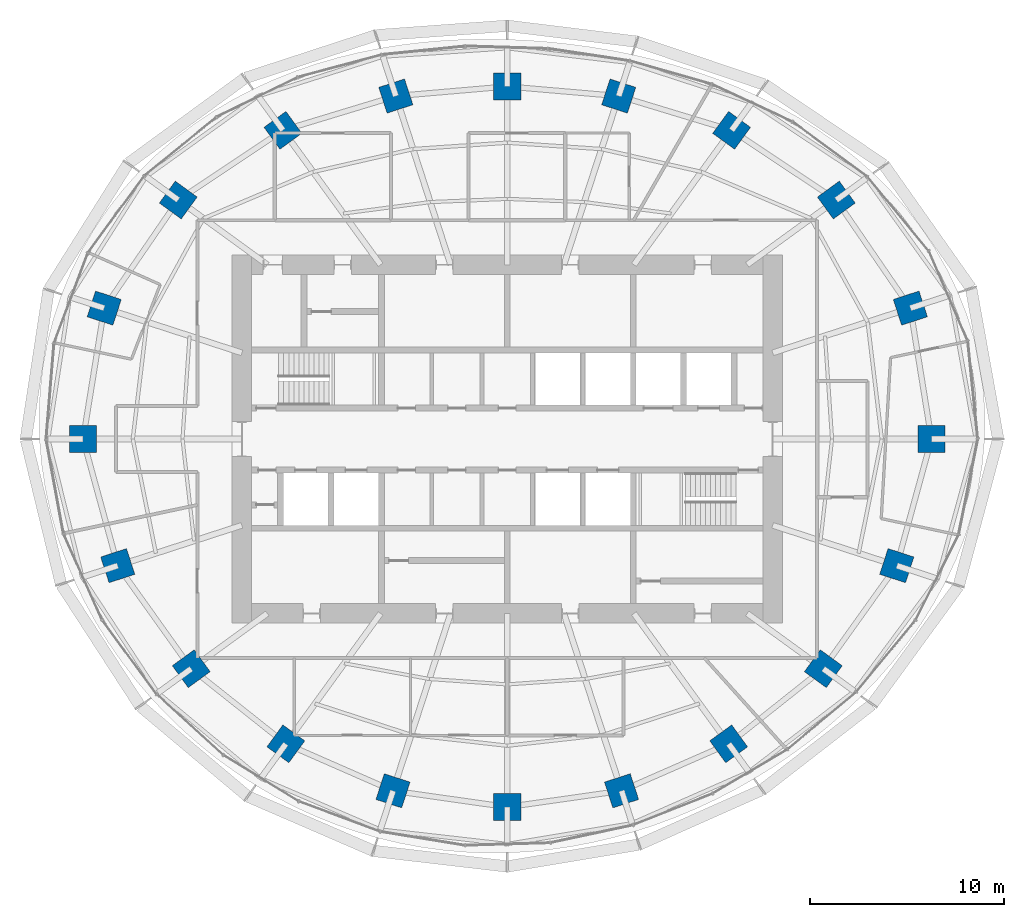
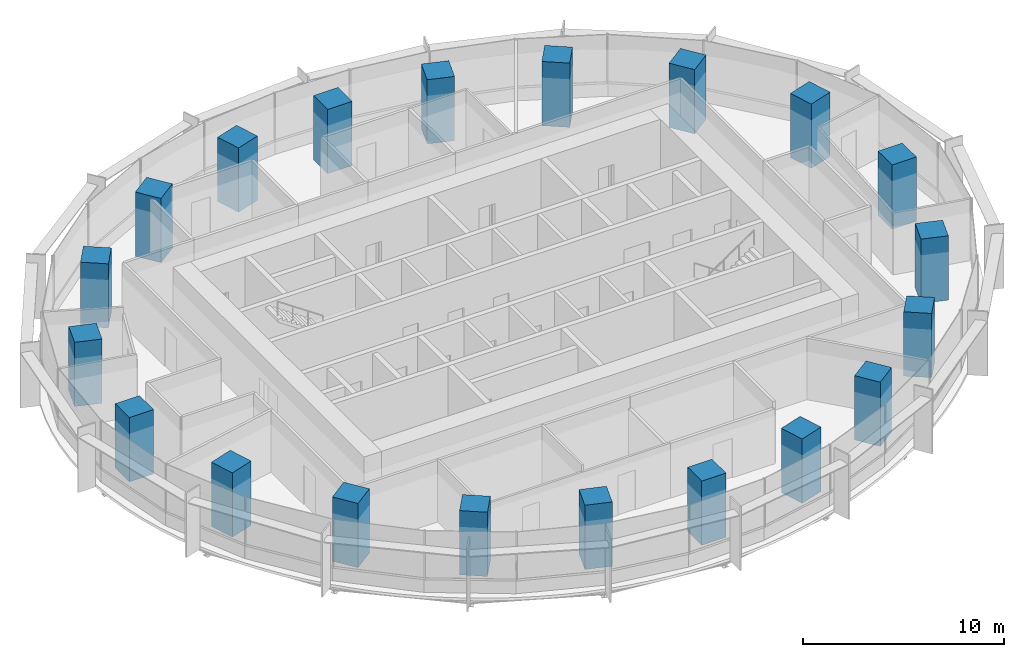
# One storey, part 1 of 14: 20 columns.
"""IFC4 building model written with IfcOpenShell, lengths in metres."""

import ifcopenshell
import ifcopenshell.guid

model = None  # the IFC model being written
_history = None  # IfcOwnerHistory: only IFC2X3 demands one
_inside = {}  # id of a spatial element -> (the spatial element, [elements in it])
_under = {}  # id of a project, library or spatial element -> (it, [spatial elements below it])
_declared = {}  # id of a project -> (the project, [libraries it declares])
_typed = {}  # id of a type object -> (the type object, [elements of that type])
_made_of = {}  # id of a material, layer set ... -> (it, [elements and type objects made of it])


def new_model(schema):
    """Start an empty IFC model of exactly this schema.

    Asked for "IFC4X3", IfcOpenShell would pick the latest addendum, in which some entities
    have other attributes; the version numbers below select the first issue.
    IFC2X3 requires an IfcOwnerHistory on every rooted entity: one is made here for all.
    """
    global model, _history
    if schema == "IFC4X3":
        model = ifcopenshell.file(schema_version=(4, 3, 0, 0))
    else:
        model = ifcopenshell.file(schema=schema)
    _inside.clear()
    _under.clear()
    _declared.clear()
    _typed.clear()
    _made_of.clear()
    _history = None
    if model.schema == "IFC2X3":
        org = make("IfcOrganization", Name="unknown")
        user = make(
            "IfcPersonAndOrganization",
            ThePerson=make("IfcPerson", FamilyName="unknown"),
            TheOrganization=org,
        )
        app = make(
            "IfcApplication",
            ApplicationDeveloper=org,
            Version="unknown",
            ApplicationFullName="unknown",
            ApplicationIdentifier="unknown",
        )
        _history = make(
            "IfcOwnerHistory",
            OwningUser=user,
            OwningApplication=app,
            ChangeAction="ADDED",
            CreationDate=0,
        )
    return model


def make(cls, **values):
    """One entity of the class cls with the attributes given. An attribute that is None is left unset."""
    return model.create_entity(
        cls, **{name: value for name, value in values.items() if value is not None}
    )


def rooted(cls, **values):
    """An entity with a GlobalId (a new one), such as an element, a storey or a relation."""
    return make(cls, GlobalId=ifcopenshell.guid.new(), OwnerHistory=_history, **values)


def si_unit(unit_type, name, prefix=None):
    """IfcSIUnit, for example si_unit("LENGTHUNIT", "METRE", prefix="MILLI")."""
    return make("IfcSIUnit", UnitType=unit_type, Prefix=prefix, Name=name)


def assignment(units):
    """IfcUnitAssignment: the units of a project."""
    return None if units is None else make("IfcUnitAssignment", Units=units)


def point(xyz):
    """IfcCartesianPoint."""
    return None if xyz is None else make("IfcCartesianPoint", Coordinates=xyz)


def direction(xyz):
    """IfcDirection."""
    return None if xyz is None else make("IfcDirection", DirectionRatios=xyz)


def frame(location, z_axis=None, x_axis=None):
    """IfcAxis2Placement3D, a coordinate frame: its origin and axes. An axis left out is left unset."""
    return make(
        "IfcAxis2Placement3D",
        Location=point(location),
        Axis=direction(z_axis),
        RefDirection=direction(x_axis),
    )


def frame_2d(location, x_axis=None):
    """IfcAxis2Placement2D, a coordinate frame in the plane: its origin and x axis."""
    return make(
        "IfcAxis2Placement2D", Location=point(location), RefDirection=direction(x_axis)
    )


def origin():
    """The frame at (0, 0, 0) with its axes left unset."""
    return frame((0.0, 0.0, 0.0))


def origin_2d():
    """The frame at (0, 0) in the plane with its x axis left unset."""
    return frame_2d((0.0, 0.0))


def place(relative_to, where):
    """IfcLocalPlacement: puts the frame where relative to a parent placement (None: the world)."""
    return make(
        "IfcLocalPlacement", PlacementRelTo=relative_to, RelativePlacement=where
    )


def context(
    kind, dimensions, precision=None, world=None, true_north=None, identifier=None
):
    """IfcGeometricRepresentationContext, for example the 3D "Model" context."""
    return make(
        "IfcGeometricRepresentationContext",
        ContextIdentifier=identifier,
        ContextType=kind,
        CoordinateSpaceDimension=dimensions,
        Precision=precision,
        WorldCoordinateSystem=world,
        TrueNorth=true_north,
    )


def subcontext(parent, identifier, kind, view, scale=None):
    """IfcGeometricRepresentationSubContext, for example "Body" below "Model"."""
    return make(
        "IfcGeometricRepresentationSubContext",
        ContextIdentifier=identifier,
        ContextType=kind,
        ParentContext=parent,
        TargetScale=scale,
        TargetView=view,
    )


def project(units=None, contexts=None):
    """IfcProject with its units and contexts."""
    return rooted(
        "IfcProject",
        Name="project",
        RepresentationContexts=contexts,
        UnitsInContext=assignment(units),
    )


def spatial(cls, under=None, at=None, **own):
    """A site, building, storey or space (cls), placed at a placement, below another one or the project."""
    s = rooted(cls, ObjectPlacement=at, **own)
    if under is not None:
        _under.setdefault(under.id(), (under, []))[1].append(s)
    return s


def profile(cls, at=None, kind="AREA", **sizes):
    """A parametric profile (cls). Its sizes go by their IFC names, for example OverallWidth=200.0."""
    return make(cls, ProfileType=kind, Position=at, **sizes)


def rectangle(**sizes):
    """IfcRectangleProfileDef."""
    return profile("IfcRectangleProfileDef", **sizes)


def extrude(swept, where, along, depth):
    """IfcExtrudedAreaSolid: the profile swept, set in the frame where, extruded along a direction by depth."""
    return make(
        "IfcExtrudedAreaSolid",
        SweptArea=swept,
        Position=where,
        ExtrudedDirection=direction(along),
        Depth=depth,
    )


def shape(context_of_items, identifier, shape_type, items):
    """IfcShapeRepresentation: the items that make up one representation, for example the "Body"."""
    return make(
        "IfcShapeRepresentation",
        ContextOfItems=context_of_items,
        RepresentationIdentifier=identifier,
        RepresentationType=shape_type,
        Items=items,
    )


def material(Name=None, Category=None):
    """IfcMaterial."""
    return make("IfcMaterial", Name=Name, Category=Category)


def material_profile(
    of_material, cross_section, Name=None, Category=None, Priority=None
):
    """IfcMaterialProfile: a cross section and its material."""
    return make(
        "IfcMaterialProfile",
        Name=Name,
        Material=of_material,
        Profile=cross_section,
        Priority=Priority,
        Category=Category,
    )


def profile_set(profiles, Name=None, composite=None):
    """IfcMaterialProfileSet."""
    return make(
        "IfcMaterialProfileSet",
        Name=Name,
        MaterialProfiles=profiles,
        CompositeProfile=composite,
    )


def made_of(thing, what):
    """Note that an element or type object is made of a material, layer set ...; save() writes the relation."""
    if what is not None:
        _made_of.setdefault(what.id(), (what, []))[1].append(thing)
    return thing


def type_object(cls, material=None, **own):
    """A type object (cls), such as IfcWallType, which elements share."""
    return made_of(rooted(cls, **own), material)


def element(
    cls,
    number,
    at=None,
    inside=None,
    cuts=None,
    type_object=None,
    material=None,
    context=None,
    identifier="Body",
    shape_type=None,
    held_by="IfcProductDefinitionShape",
    body=None,
    shapes=None,
    **own,
):
    """One element of the class cls, such as IfcWall. Its Tag is "e" and its number.

    at: its placement. inside: the storey or other place that contains it. cuts: it is an
    opening in that element (IfcRelVoidsElement). A single representation is given by context,
    identifier, shape_type and body (its items); several are given by shapes. held_by: the class
    of the entity that holds the representations. save() writes the other relations.
    """
    e = rooted(cls, Tag="e%d" % number, ObjectPlacement=at, **own)
    if body is not None:
        shapes = [shape(context, identifier, shape_type, body)]
    if shapes is not None:
        e.Representation = make(held_by, Representations=shapes)
    if inside is not None:
        _inside.setdefault(inside.id(), (inside, []))[1].append(e)
    if cuts is not None:
        rooted(
            "IfcRelVoidsElement", RelatingBuildingElement=cuts, RelatedOpeningElement=e
        )
    if type_object is not None:
        _typed.setdefault(type_object.id(), (type_object, []))[1].append(e)
    return made_of(e, material)


def aggregate(whole, parts):
    """IfcRelAggregates: a whole, such as a stair, and the parts it consists of."""
    return rooted("IfcRelAggregates", RelatingObject=whole, RelatedObjects=parts)


def save(model, path):
    """Write the relations noted so far, then the file.

    IfcRelAggregates (storeys below a building ...), IfcRelContainedInSpatialStructure (elements
    in a storey), IfcRelDefinesByType, IfcRelAssociatesMaterial and IfcRelDeclares: one each for
    every whole, place, type object, material and project.
    """
    for whole, parts in _under.values():
        aggregate(whole, parts)
    for where, things in _inside.values():
        rooted(
            "IfcRelContainedInSpatialStructure",
            RelatedElements=things,
            RelatingStructure=where,
        )
    for kind, things in _typed.values():
        rooted("IfcRelDefinesByType", RelatedObjects=things, RelatingType=kind)
    for what, things in _made_of.values():
        rooted("IfcRelAssociatesMaterial", RelatedObjects=things, RelatingMaterial=what)
    for by, libraries in _declared.values():
        rooted("IfcRelDeclares", RelatingContext=by, RelatedDefinitions=libraries)
    model.write(path)


model = new_model("IFC4")

# Units and contexts
model_context = context("Model", 3, precision=1e-05, world=origin(), true_north=direction((0.0, 1.0)))
body_context = subcontext(model_context, "Body", "Model", "MODEL_VIEW")
ifc_project = project(units=[si_unit("LENGTHUNIT", "METRE"), si_unit("AREAUNIT", "SQUARE_METRE"), si_unit("VOLUMEUNIT", "CUBIC_METRE"), si_unit("PLANEANGLEUNIT", "RADIAN"), si_unit("MASSUNIT", "GRAM", prefix="KILO")], contexts=[model_context])

# Site, building, storey
site_placement = place(None, origin())
site = spatial("IfcSite", under=ifc_project, at=site_placement, CompositionType="ELEMENT")
building_placement = place(site_placement, origin())
building = spatial("IfcBuilding", under=site, at=building_placement, Name="Marramba Exchange Tower", CompositionType="ELEMENT")
storey_placement = place(building_placement, frame((0.0, 0.0, 195.5)))
storey = spatial("IfcBuildingStorey", under=building, at=storey_placement, Name="L47", CompositionType="ELEMENT", Elevation=195.5)

# Columns
ifc_material = material(Name="Concrete N50", Category="concrete")
ifc_material_profile = material_profile(ifc_material, rectangle(XDim=1.39990234375, YDim=1.39990234375, at=origin_2d()), Name="RC 1400x1400")
ifc_profile_set = profile_set([ifc_material_profile], Name="Concrete N50")
column_type = type_object("IfcColumnType", Name="Perimeter column RC 1400x1400 N50", PredefinedType="COLUMN", material=ifc_profile_set)
for number, where, z_axis, x_axis, name in (
    (1, (21.89990234375, 0.0, 0.0), (0.0, 0.0, 1.0), (1.0, 0.0, 0.0), "Column TC01 L47"),
    (2, (20.808349609375, 6.760986328125, 0.0), (0.0, 0.0, 1.0), (0.951056516295, 0.309016994375, 0.0), "Column TC02 L47"),
    (3, (16.98583984375, 12.3408203125, 0.0), (0.0, 0.0, 1.0), (0.809016994375, 0.587785252292, 0.0), "Column TC03 L47"),
    (4, (11.581298828125, 15.9404296875, 0.0), (0.0, 0.0, 1.0), (0.587785252292, 0.809016994375, 0.0), "Column TC04 L47"),
    (5, (5.75390625, 17.70849609375, 0.0), (0.0, 0.0, 1.0), (0.309016994375, 0.951056516295, 0.0), "Column TC05 L47"),
    (6, (0.0, 18.2041015625, 0.0), (0.0, 0.0, 1.0), (0.0, 1.0, 0.0), "Column TC06 L47"),
    (7, (-5.75390625, 17.70849609375, 0.0), (0.0, 0.0, 1.0), (-0.309016994375, 0.951056516295, 0.0), "Column TC07 L47"),
    (8, (-11.581298828125, 15.9404296875, 0.0), (0.0, 0.0, 1.0), (-0.587785252292, 0.809016994375, 0.0), "Column TC08 L47"),
    (9, (-16.98583984375, 12.3408203125, 0.0), (0.0, 0.0, 1.0), (-0.809016994375, 0.587785252292, 0.0), "Column TC09 L47"),
    (10, (-20.808349609375, 6.760986328125, 0.0), (0.0, 0.0, 1.0), (-0.951056516295, 0.309016994375, 0.0), "Column TC10 L47"),
    (11, (-21.89990234375, 0.0, 0.0), (0.0, 0.0, 1.0), (-1.0, 0.0, 0.0), "Column TC11 L47"),
    (12, (-20.109375, -6.533935546875, 0.0), (0.0, 0.0, 1.0), (-0.951056516295, -0.309016994375, 0.0), "Column TC12 L47"),
    (13, (-16.3154296875, -11.853759765625, 0.0), (0.0, 0.0, 1.0), (-0.809016994375, -0.587785252292, 0.0), "Column TC13 L47"),
    (14, (-11.430419921875, -15.732666015625, 0.0), (0.0, 0.0, 1.0), (-0.587785252292, -0.809016994375, 0.0), "Column TC14 L47"),
    (15, (-5.899658203125, -18.156982421875, 0.0), (0.0, 0.0, 1.0), (-0.309016994375, -0.951056516295, 0.0), "Column TC15 L47"),
    (16, (0.0, -18.99609375, 0.0), (0.0, 0.0, 1.0), (0.0, -1.0, 0.0), "Column TC16 L47"),
    (17, (5.899658203125, -18.156982421875, 0.0), (0.0, 0.0, 1.0), (0.309016994375, -0.951056516295, 0.0), "Column TC17 L47"),
    (18, (11.430419921875, -15.732666015625, 0.0), (0.0, 0.0, 1.0), (0.587785252292, -0.809016994375, 0.0), "Column TC18 L47"),
    (19, (16.3154296875, -11.853759765625, 0.0), (0.0, 0.0, 1.0), (0.809016994375, -0.587785252292, 0.0), "Column TC19 L47"),
    (20, (20.109375, -6.533935546875, 0.0), (0.0, 0.0, 1.0), (0.951056516295, -0.309016994375, 0.0), "Column TC20 L47"),
):
    element("IfcColumn", number, at=place(storey_placement, frame(where, z_axis=z_axis, x_axis=x_axis)), inside=storey, type_object=column_type, Name=name, PredefinedType="COLUMN", context=body_context, shape_type="SweptSolid", body=[
        extrude(rectangle(XDim=1.39990234375, YDim=1.39990234375, at=origin_2d()), origin(), (0.0, 0.0, 1.0), 3.89990234375),
    ])

save(model, "model.ifc")
